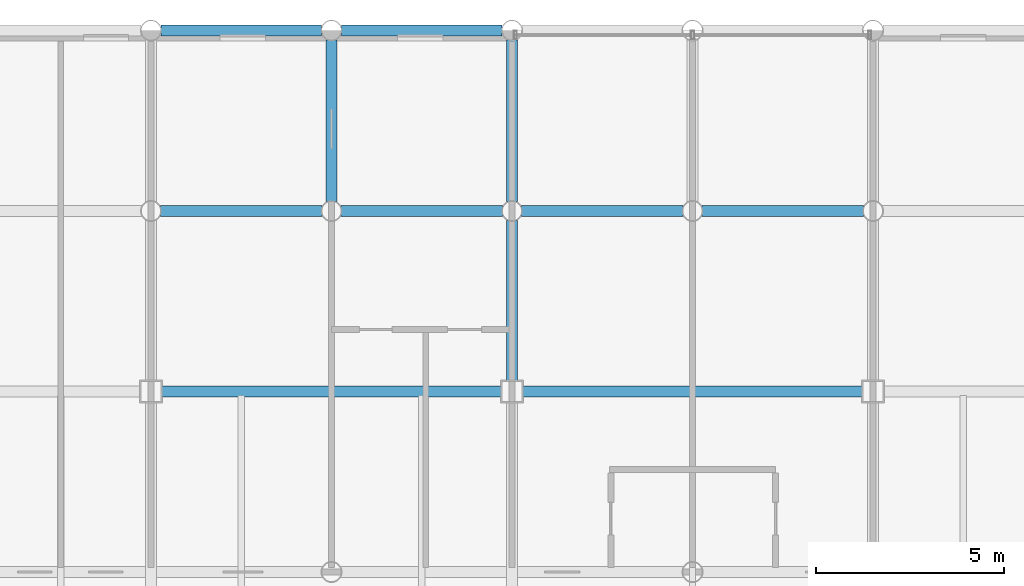
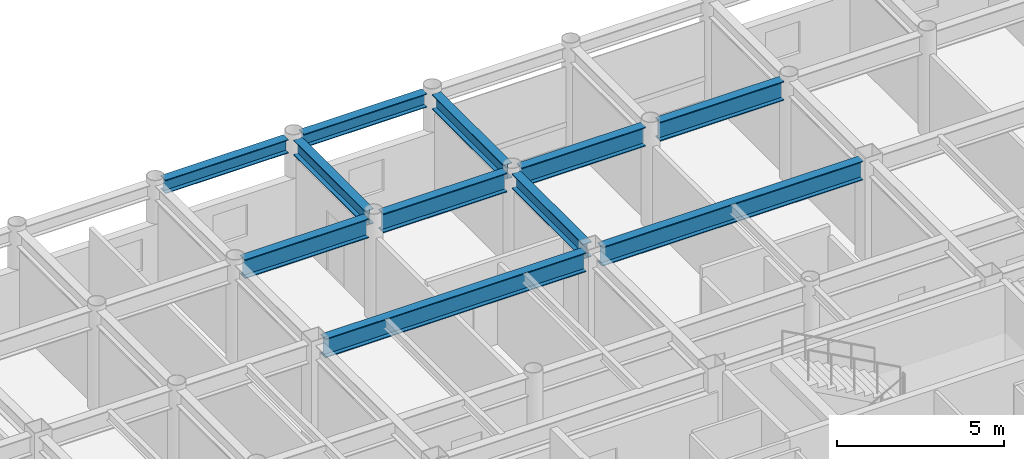
# One storey, part 13 of 23: 11 beams.
"""IFC4 building model written with IfcOpenShell, lengths in metres."""

from ifc_helpers import new_model, si_unit, direction, frame, origin, origin_2d, place, context, subcontext, project, spatial, i_section, extrude, material, material_profile, profile_set, type_object, element, save


model = new_model("IFC4")

# Units and contexts
model_context = context("Model", 3, precision=1e-05, world=origin(), true_north=direction((0.0, 1.0)))
body_context = subcontext(model_context, "Body", "Model", "MODEL_VIEW")
ifc_project = project(units=[si_unit("LENGTHUNIT", "METRE"), si_unit("AREAUNIT", "SQUARE_METRE"), si_unit("VOLUMEUNIT", "CUBIC_METRE"), si_unit("PLANEANGLEUNIT", "RADIAN"), si_unit("MASSUNIT", "GRAM", prefix="KILO")], contexts=[model_context])

# Site, building, storey
site_placement = place(None, origin())
site = spatial("IfcSite", under=ifc_project, at=site_placement, CompositionType="ELEMENT")
building_placement = place(site_placement, origin())
building = spatial("IfcBuilding", under=site, at=building_placement, Name="Kallvorn Hotel Tower", CompositionType="ELEMENT")
storey_placement = place(building_placement, frame((0.0, 0.0, 237.699951171875)))
storey = spatial("IfcBuildingStorey", under=building, at=storey_placement, Name="L59", CompositionType="ELEMENT", Elevation=237.699951171875)

# Beams
ifc_material_1 = material(Name="Structural steel S355JR", Category="steel")
ifc_material_profile_1 = material_profile(ifc_material_1, i_section(OverallWidth=0.300048828125, OverallDepth=0.5, WebThickness=0.014404296875, FlangeThickness=0.028076171875, at=origin_2d()), Name="HE 500 B")
ifc_profile_set_1 = profile_set([ifc_material_profile_1], Name="Structural steel S355JR")
beam_type_1 = type_object("IfcBeamType", Name="BM_HE500B", PredefinedType="SPANDREL", material=ifc_profile_set_1)
beam_1_placement = place(storey_placement, frame((-14.130615234375, 24.0, 3.420166015625), z_axis=(1.0, 0.0, 0.0), x_axis=(0.0, 1.0, 0.0)))
element("IfcBeam", 1, at=beam_1_placement, inside=storey, type_object=beam_type_1, Name="L60 Perimeter Spandrel 165", PredefinedType="SPANDREL", context=body_context, shape_type="SweptSolid", body=[
    extrude(i_section(OverallWidth=0.300048828125, OverallDepth=0.5, WebThickness=0.014404296875, FlangeThickness=0.028076171875, at=origin_2d()), origin(), (0.0, 0.0, 1.0), 4.26123046875),
])
beam_2_placement = place(storey_placement, frame((-9.33056640625, 24.0, 3.420166015625), z_axis=(1.0, 0.0, 0.0), x_axis=(0.0, 1.0, 0.0)))
element("IfcBeam", 2, at=beam_2_placement, inside=storey, type_object=beam_type_1, Name="L60 Perimeter Spandrel 166", PredefinedType="SPANDREL", context=body_context, shape_type="SweptSolid", body=[
    extrude(i_section(OverallWidth=0.300048828125, OverallDepth=0.5, WebThickness=0.014404296875, FlangeThickness=0.028076171875, at=origin_2d()), origin(), (0.0, 0.0, 1.0), 4.260986328125),
])
ifc_material_2 = material(Name="Structural steel S355JR", Category="steel")
ifc_material_profile_2 = material_profile(ifc_material_2, i_section(OverallWidth=0.300048828125, OverallDepth=0.550048828125, WebThickness=0.014892578125, FlangeThickness=0.029052734375, at=origin_2d()), Name="HE 550 B")
ifc_profile_set_2 = profile_set([ifc_material_profile_2], Name="Structural steel S355JR")
beam_type_2 = type_object("IfcBeamType", Name="BM_HE550B", PredefinedType="SPANDREL", material=ifc_profile_set_2)
beam_3_placement = place(storey_placement, frame((-9.60009765625, 19.45458984375, 3.39501953125), z_axis=(0.0, 1.0, 0.0), x_axis=(-1.0, 0.0, 0.0)))
element("IfcBeam", 3, at=beam_3_placement, inside=storey, type_object=beam_type_2, Name="L60 Primary Y-Girder 104", PredefinedType="SPANDREL", context=body_context, shape_type="SweptSolid", body=[
    extrude(i_section(OverallWidth=0.300048828125, OverallDepth=0.550048828125, WebThickness=0.014892578125, FlangeThickness=0.029052734375, at=origin_2d()), origin(), (0.0, 0.0, 1.0), 4.291015625),
])
beam_4_placement = place(storey_placement, frame((-4.800048828125, 14.675048828125, 3.39501953125), z_axis=(0.0, 1.0, 0.0), x_axis=(-1.0, 0.0, 0.0)))
element("IfcBeam", 4, at=beam_4_placement, inside=storey, type_object=beam_type_2, Name="L60 Primary Y-Girder 108", PredefinedType="SPANDREL", context=body_context, shape_type="SweptSolid", body=[
    extrude(i_section(OverallWidth=0.300048828125, OverallDepth=0.550048828125, WebThickness=0.014892578125, FlangeThickness=0.029052734375, at=origin_2d()), origin(), (0.0, 0.0, 1.0), 4.2705078125),
])
beam_5_placement = place(storey_placement, frame((-4.800048828125, 19.45458984375, 3.39501953125), z_axis=(0.0, 1.0, 0.0), x_axis=(-1.0, 0.0, 0.0)))
element("IfcBeam", 5, at=beam_5_placement, inside=storey, type_object=beam_type_2, Name="L60 Primary Y-Girder 109", PredefinedType="SPANDREL", context=body_context, shape_type="SweptSolid", body=[
    extrude(i_section(OverallWidth=0.300048828125, OverallDepth=0.550048828125, WebThickness=0.014892578125, FlangeThickness=0.029052734375, at=origin_2d()), origin(), (0.0, 0.0, 1.0), 4.291015625),
])
ifc_material_3 = material(Name="Structural steel S355JR", Category="steel")
ifc_material_profile_3 = material_profile(ifc_material_3, i_section(OverallWidth=0.300048828125, OverallDepth=0.699951171875, WebThickness=0.01708984375, FlangeThickness=0.031982421875, at=origin_2d()), Name="HE 700 B")
ifc_profile_set_3 = profile_set([ifc_material_profile_3], Name="Structural steel S355JR")
beam_type_3 = type_object("IfcBeamType", Name="BM_HE700B", PredefinedType="BEAM", material=ifc_profile_set_3)
beam_6_placement = place(storey_placement, frame((-14.125, 14.39990234375, 3.320068359375), z_axis=(1.0, 0.0, 0.0), x_axis=(0.0, 1.0, 0.0)))
element("IfcBeam", 6, at=beam_6_placement, inside=storey, type_object=beam_type_3, Name="L60 Primary X-Girder 53", PredefinedType="BEAM", context=body_context, shape_type="SweptSolid", body=[
    extrude(i_section(OverallWidth=0.300048828125, OverallDepth=0.699951171875, WebThickness=0.01708984375, FlangeThickness=0.031982421875, at=origin_2d()), origin(), (0.0, 0.0, 1.0), 9.050048828125),
])
beam_7_placement = place(storey_placement, frame((-4.52490234375, 14.39990234375, 3.320068359375), z_axis=(1.0, 0.0, 0.0), x_axis=(0.0, 1.0, 0.0)))
element("IfcBeam", 7, at=beam_7_placement, inside=storey, type_object=beam_type_3, Name="L60 Primary X-Girder 54", PredefinedType="BEAM", context=body_context, shape_type="SweptSolid", body=[
    extrude(i_section(OverallWidth=0.300048828125, OverallDepth=0.699951171875, WebThickness=0.01708984375, FlangeThickness=0.031982421875, at=origin_2d()), origin(), (0.0, 0.0, 1.0), 9.0498046875),
])
for number, where, z_axis, x_axis, name in (
    (8, (-14.1455078125, 19.199951171875, 3.320068359375), (1.0, 0.0, 0.0), (0.0, 1.0, 0.0), "L60 Primary X-Girder 63"),
    (9, (-9.345458984375, 19.199951171875, 3.320068359375), (1.0, 0.0, 0.0), (0.0, 1.0, 0.0), "L60 Primary X-Girder 64"),
    (10, (-4.54541015625, 19.199951171875, 3.320068359375), (1.0, 0.0, 0.0), (0.0, 1.0, 0.0), "L60 Primary X-Girder 65"),
    (11, (0.25439453125, 19.199951171875, 3.320068359375), (1.0, 0.0, 0.0), (0.0, 1.0, 0.0), "L60 Primary X-Girder 66"),
):
    element("IfcBeam", number, at=place(storey_placement, frame(where, z_axis=z_axis, x_axis=x_axis)), inside=storey, type_object=beam_type_3, Name=name, PredefinedType="BEAM", context=body_context, shape_type="SweptSolid", body=[
        extrude(i_section(OverallWidth=0.300048828125, OverallDepth=0.699951171875, WebThickness=0.01708984375, FlangeThickness=0.031982421875, at=origin_2d()), origin(), (0.0, 0.0, 1.0), 4.291015625),
    ])

save(model, "model.ifc")
